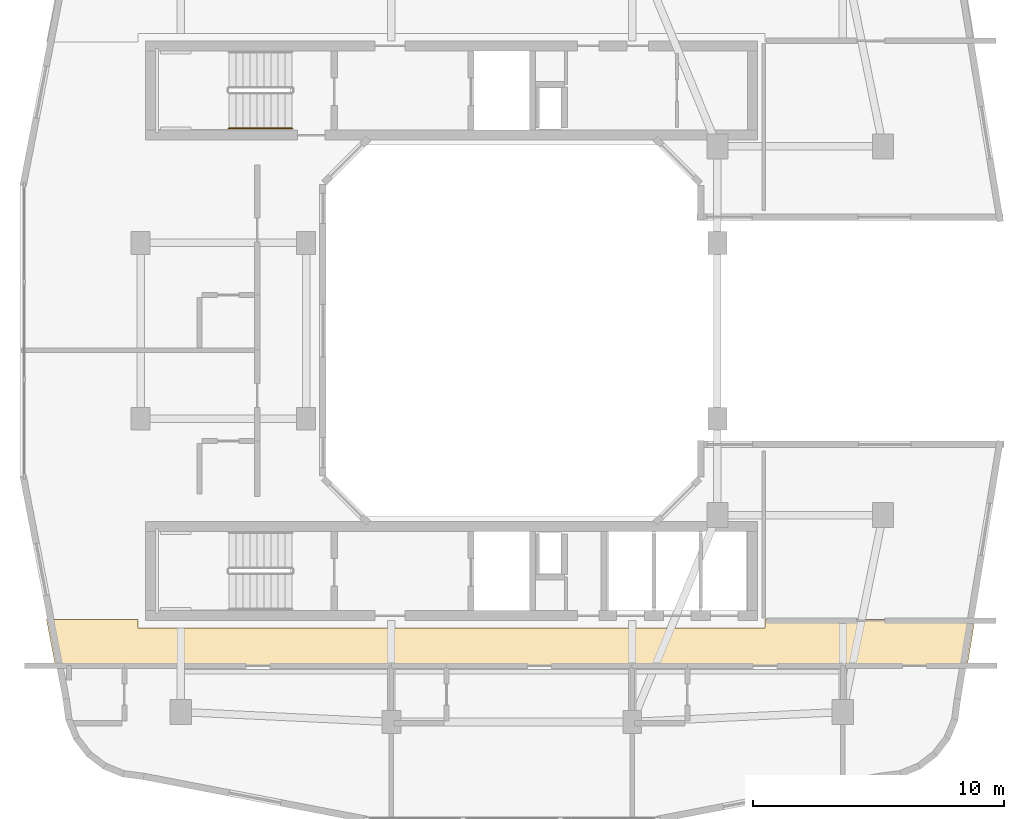
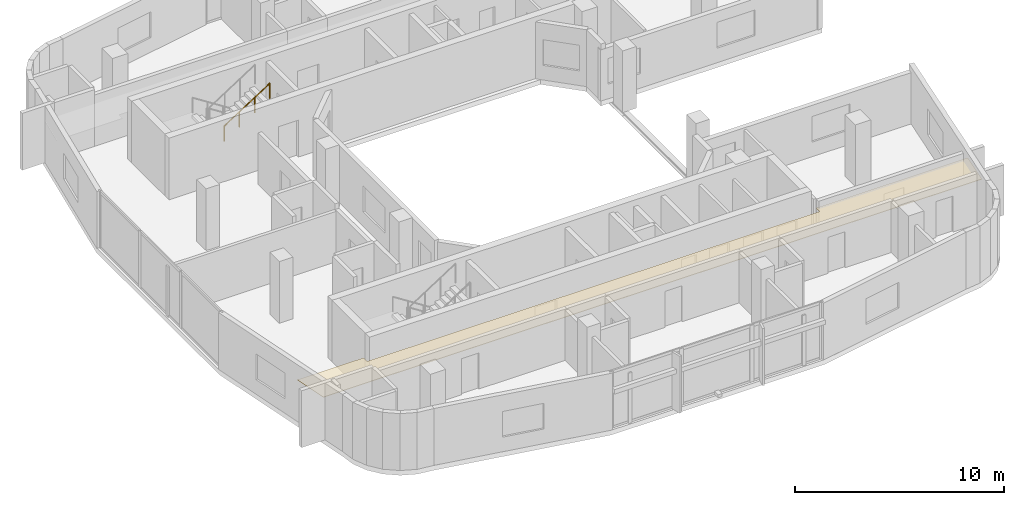
# One storey, part 10 of 12: 1 covering, 1 railing.
"""IFC4 building model written with IfcOpenShell, lengths in metres."""

from ifc_helpers import new_model, si_unit, derived_unit, direction, frame, origin, origin_2d, place, context, subcontext, project, spatial, polyline, circle, outline, extrude, material, layer, layer_set, type_object, element, save


model = new_model("IFC4")

# Units and contexts
model_context = context("Model", 3, precision=1e-05, world=origin(), true_north=direction((0.0, 1.0)))
body_context = subcontext(model_context, "Body", "Model", "MODEL_VIEW")
ifc_project = project(units=[si_unit("LENGTHUNIT", "METRE"), si_unit("AREAUNIT", "SQUARE_METRE"), si_unit("VOLUMEUNIT", "CUBIC_METRE"), si_unit("PLANEANGLEUNIT", "RADIAN"), si_unit("MASSUNIT", "GRAM", prefix="KILO"), derived_unit("THERMALTRANSMITTANCEUNIT", [(si_unit("POWERUNIT", "WATT"), 1), (si_unit("LENGTHUNIT", "METRE"), -2), (si_unit("THERMODYNAMICTEMPERATUREUNIT", "KELVIN"), -1)])], contexts=[model_context])

# Site, building, storey
site_placement = place(None, origin())
site = spatial("IfcSite", under=ifc_project, at=site_placement, CompositionType="ELEMENT")
building_placement = place(site_placement, origin())
building = spatial("IfcBuilding", under=site, at=building_placement, Name="Kivonza Crest Hotel", CompositionType="ELEMENT")
storey_placement = place(building_placement, frame((0.0, 0.0, 184.699951171875)))
storey = spatial("IfcBuildingStorey", under=building, at=storey_placement, Name="L50", CompositionType="ELEMENT", Elevation=184.699951171875)

# Covering
ifc_material_1 = material(Name="Moisture-resistant gypsum plasterboard ceiling", Category="gypsum")
ifc_layer = layer(ifc_material_1, 0.030029296875)
ifc_layer_set = layer_set([ifc_layer], Name="Moisture-resistant gypsum plasterboard ceiling")
covering_type = type_object("IfcCoveringType", Name="CV-CEIL-GYP", PredefinedType="CEILING", material=ifc_layer_set)
covering_placement = place(storey_placement, frame((0.0, 0.0, 2.449951171875)))
element("IfcCovering", 1, at=covering_placement, inside=storey, type_object=covering_type, Name="L50 Hotel South Guest Corridor suspended ceiling", PredefinedType="CEILING", context=body_context, shape_type="SweptSolid", body=[
    extrude(outline(polyline([(2.447021484375, 13.47998046875), (2.806884765625, 11.610107421875), (39.156982421875, 11.610107421875), (39.465087890625, 13.47998046875), (31.10009765625, 13.47998046875), (31.10009765625, 13.139892578125), (6.10009765625, 13.139892578125), (6.10009765625, 13.47998046875), (2.447021484375, 13.47998046875)])), origin(), (0.0, 0.0, 1.0), 0.030029296875),
])

# Railing
ifc_material_2 = material(Name="Brushed stainless steel handrail", Category="steel")
railing_type = type_object("IfcRailingType", Name="RL-HAND-900", PredefinedType="HANDRAIL", material=ifc_material_2)
railing_placement = place(storey_placement, frame((9.719970703125, 33.070068359375, 1.97998046875)))
element("IfcRailing", 2, at=railing_placement, inside=storey, type_object=railing_type, Name="L50 ST-T1-N stair handrail 2", PredefinedType="HANDRAIL", context=body_context, shape_type="SweptSolid", body=[
    extrude(circle(Radius=0.02392578125, at=origin_2d()), frame((0.0, 0.0, 0.8759765625), z_axis=(0.841162588446, 0.0, 0.540782303519), x_axis=(0.0, 1.0, 0.0)), (0.0, 0.0, 1.0), 2.995849609375),
    extrude(circle(Radius=0.02099609375, at=origin_2d()), origin(), (0.0, 0.0, 1.0), 0.851806640625),
    extrude(circle(Radius=0.02099609375, at=origin_2d()), frame((0.840087890625, 0.0, 0.5400390625)), (0.0, 0.0, 1.0), 0.851806640625),
    extrude(circle(Radius=0.02099609375, at=origin_2d()), frame((1.679931640625, 0.0, 1.080078125)), (0.0, 0.0, 1.0), 0.851806640625),
    extrude(circle(Radius=0.02099609375, at=origin_2d()), frame((2.52001953125, 0.0, 1.6201171875)), (0.0, 0.0, 1.0), 0.851806640625),
])

save(model, "model.ifc")
